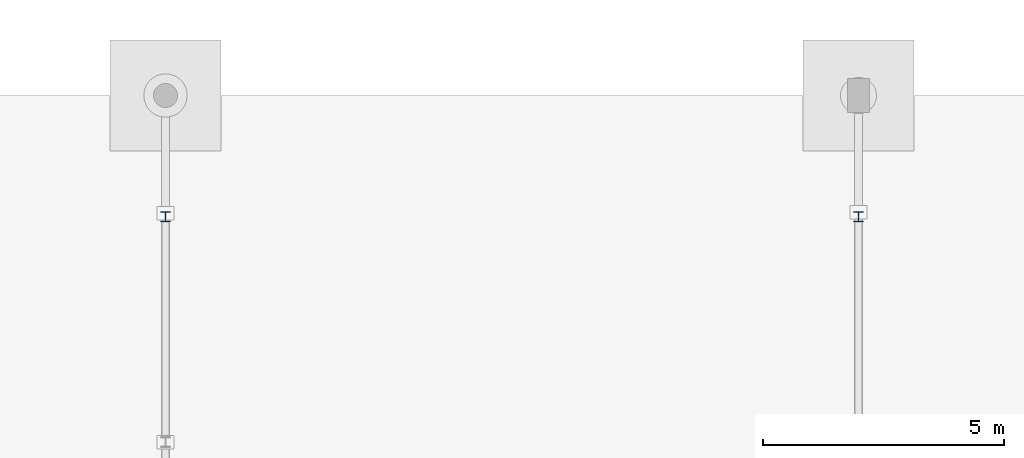
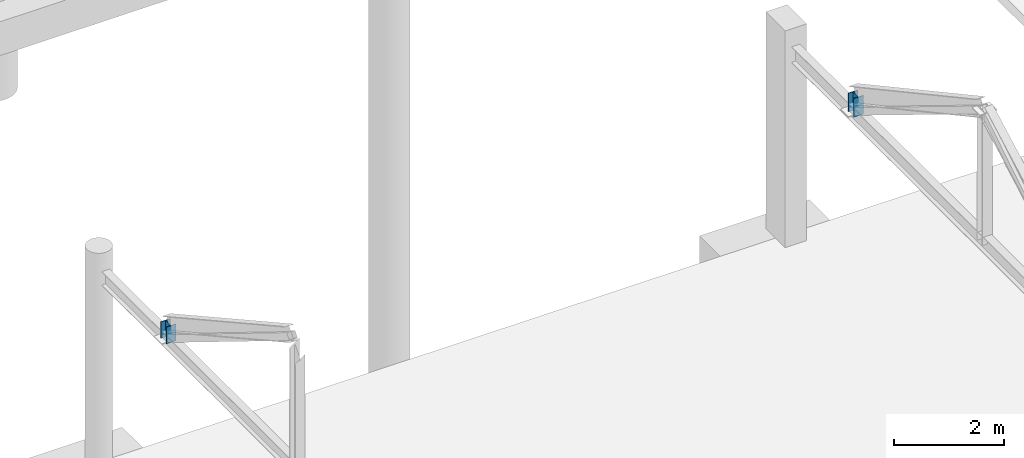
# One storey, part 156 of 285: 2 members.
"""IFC4 building model written with IfcOpenShell, lengths in metres."""

from ifc_helpers import new_model, si_unit, direction, frame, origin, origin_2d, place, context, subcontext, project, spatial, i_section, extrude, material, material_profile, profile_set, type_object, element, save


model = new_model("IFC4")

# Units and contexts
model_context = context("Model", 3, precision=1e-05, world=origin(), true_north=direction((0.0, 1.0)))
body_context = subcontext(model_context, "Body", "Model", "MODEL_VIEW")
ifc_project = project(units=[si_unit("LENGTHUNIT", "METRE"), si_unit("AREAUNIT", "SQUARE_METRE"), si_unit("VOLUMEUNIT", "CUBIC_METRE"), si_unit("PLANEANGLEUNIT", "RADIAN"), si_unit("MASSUNIT", "GRAM", prefix="KILO")], contexts=[model_context])

# Site, building, storey
site_placement = place(None, origin())
site = spatial("IfcSite", under=ifc_project, at=site_placement, CompositionType="ELEMENT")
building_placement = place(site_placement, origin())
building = spatial("IfcBuilding", under=site, at=building_placement, Name="Solanera Park Tramway Depot", CompositionType="ELEMENT")
storey_placement = place(building_placement, origin())
storey = spatial("IfcBuildingStorey", under=building, at=storey_placement, Name="L00", CompositionType="ELEMENT", Elevation=0.0)

# Members
ifc_material = material(Name="Steel AS/NZS 3679.1 Grade 350", Category="steel")
ifc_material_profile = material_profile(ifc_material, i_section(OverallWidth=0.205078125, OverallDepth=0.209716796875, WebThickness=0.00927734375, FlangeThickness=0.01416015625, at=origin_2d()), Name="200UC59.5")
ifc_profile_set = profile_set([ifc_material_profile], Name="Steel AS/NZS 3679.1 Grade 350")
member_type = type_object("IfcMemberType", Name="Roof Gantry Compression Strut 200UC59.5", PredefinedType="STRUT", material=ifc_profile_set)
member_1_placement = place(storey_placement, frame((165.60009765625, 98.280029296875, 4.246337890625), z_axis=(0.0, 0.0, 1.0), x_axis=(1.0, 0.0, 0.0)))
element("IfcMember", 1, at=member_1_placement, inside=storey, type_object=member_type, Name="Hip ROOF TRUSS Heel Post #0168", PredefinedType="STRUT", context=body_context, shape_type="SweptSolid", body=[
    extrude(i_section(OverallWidth=0.205078125, OverallDepth=0.209716796875, WebThickness=0.00927734375, FlangeThickness=0.01416015625, at=origin_2d()), origin(), (0.0, 0.0, 1.0), 0.3671875),
])
member_2_placement = place(storey_placement, frame((180.0, 98.280029296875, 4.22216796875), z_axis=(0.0, 0.0, 1.0), x_axis=(1.0, 0.0, 0.0)))
element("IfcMember", 2, at=member_2_placement, inside=storey, type_object=member_type, Name="Hip ROOF TRUSS Heel Post #0171", PredefinedType="STRUT", context=body_context, shape_type="SweptSolid", body=[
    extrude(i_section(OverallWidth=0.205078125, OverallDepth=0.209716796875, WebThickness=0.00927734375, FlangeThickness=0.01416015625, at=origin_2d()), origin(), (0.0, 0.0, 1.0), 0.41552734375),
])

save(model, "model.ifc")
